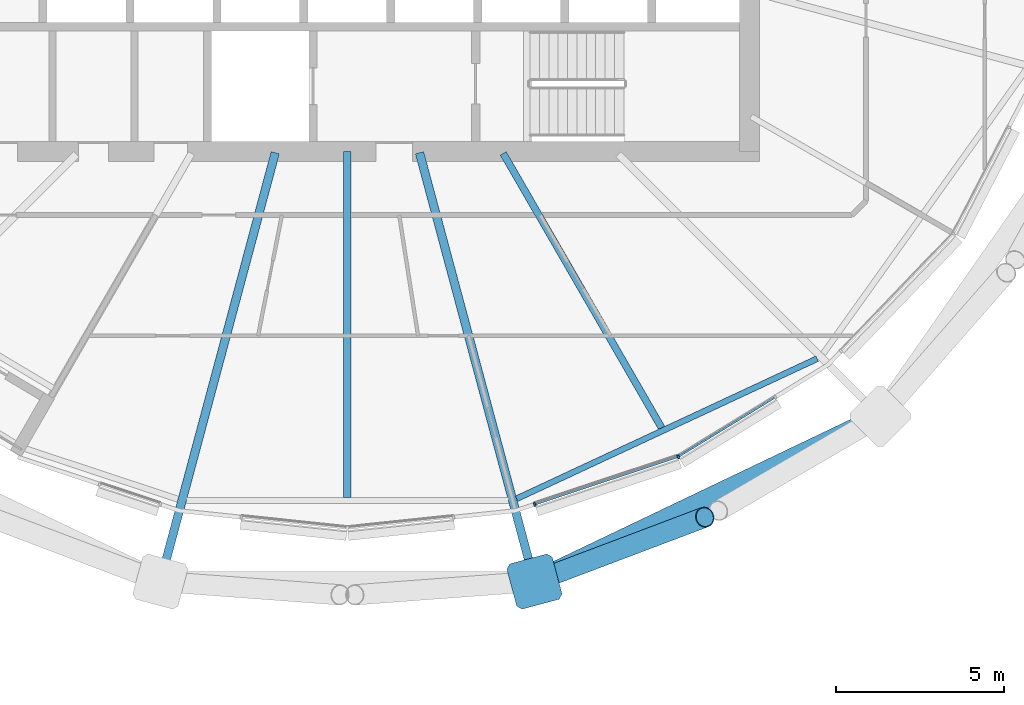
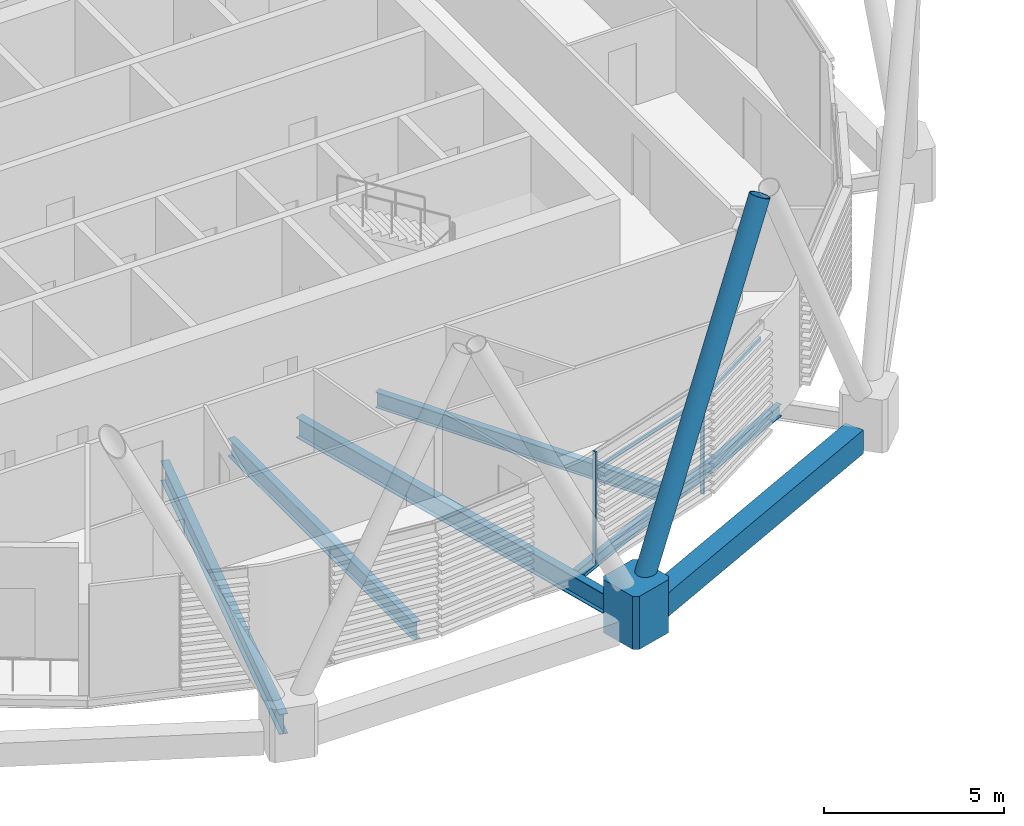
# One storey, part 4 of 36: 6 beams, 6 members, 1 element without a shape of its own.
"""IFC4 building model written with IfcOpenShell, lengths in metres."""

from ifc_helpers import new_model, si_unit, direction, frame, origin, origin_2d, place, context, subcontext, project, spatial, polyline, rectangle, hollow_rectangle, hollow_circle, i_section, outline, extrude, material, material_profile, profile_set, type_object, element, aggregate, save


model = new_model("IFC4")

# Units and contexts
model_context = context("Model", 3, precision=1e-05, world=origin(), true_north=direction((0.0, 1.0)))
body_context = subcontext(model_context, "Body", "Model", "MODEL_VIEW")
ifc_project = project(units=[si_unit("LENGTHUNIT", "METRE"), si_unit("AREAUNIT", "SQUARE_METRE"), si_unit("VOLUMEUNIT", "CUBIC_METRE"), si_unit("PLANEANGLEUNIT", "RADIAN"), si_unit("MASSUNIT", "GRAM", prefix="KILO")], contexts=[model_context])

# Site, building, storey
site_placement = place(None, origin())
site = spatial("IfcSite", under=ifc_project, at=site_placement, CompositionType="ELEMENT")
building_placement = place(site_placement, origin())
building = spatial("IfcBuilding", under=site, at=building_placement, Name="Rimbun Link Towers", CompositionType="ELEMENT")
storey_placement = place(building_placement, frame((0.0, 0.0, 193.10009765625)))
storey = spatial("IfcBuildingStorey", under=building, at=storey_placement, Name="L47", CompositionType="ELEMENT", Elevation=193.10009765625)

# Curtain wall, members
ifc_material_1 = material(Name="Aluminium 6063-T6 and low-iron glass", Category="aluminium")
curtain_wall_type = type_object("IfcCurtainWallType", Name="CW1-Z3 unitised vision wall (zone 3)", PredefinedType="NOTDEFINED", material=ifc_material_1)
curtain_wall_placement = place(storey_placement, origin())
curtain_wall = element("IfcCurtainWall", 1, at=curtain_wall_placement, inside=storey, type_object=curtain_wall_type, Name="CW1 L47 T1", PredefinedType="NOTDEFINED")
ifc_material_2 = material(Name="Aluminium 6063-T6", Category="aluminium")
ifc_material_profile_1 = material_profile(ifc_material_2, rectangle(XDim=0.1201171875, YDim=0.06005859375, at=origin_2d()), Name="MULLION 60X120")
ifc_profile_set_1 = profile_set([ifc_material_profile_1], Name="Aluminium 6063-T6")
member_type_1 = type_object("IfcMemberType", Name="CW1 mullion 60X120", PredefinedType="MULLION", material=ifc_profile_set_1)
member_1_placement = place(storey_placement, frame((-21.881103515625, -17.10400390625, 0.0), z_axis=(0.0, 0.0, 1.0), x_axis=(0.421694621362, -0.906737914899, 0.0)))
member_1 = element("IfcMember", 2, at=member_1_placement, type_object=member_type_1, Name="CW1 mullion", PredefinedType="MULLION", context=body_context, shape_type="SweptSolid", body=[
    extrude(rectangle(XDim=0.1201171875, YDim=0.06005859375, at=origin_2d()), origin(), (0.0, 0.0, 1.0), 3.7998046875),
])
member_2_placement = place(storey_placement, frame((-26.162841796875, -18.5234375, 0.0), z_axis=(0.0, 0.0, 1.0), x_axis=(0.314557993327, -0.949238257149, 0.0)))
member_2 = element("IfcMember", 3, at=member_2_placement, type_object=member_type_1, Name="CW1 mullion", PredefinedType="MULLION", context=body_context, shape_type="SweptSolid", body=[
    extrude(rectangle(XDim=0.1201171875, YDim=0.06005859375, at=origin_2d()), origin(), (0.0, 0.0, 1.0), 3.7998046875),
])
ifc_material_3 = material(Name="Aluminium 6063-T6", Category="aluminium")
ifc_material_profile_2 = material_profile(ifc_material_3, rectangle(XDim=0.06005859375, YDim=0.1201171875, at=origin_2d()), Name="TRANSOM 60X120")
ifc_profile_set_2 = profile_set([ifc_material_profile_2], Name="Aluminium 6063-T6")
member_type_2 = type_object("IfcMemberType", Name="CW1 transom 60X120", PredefinedType="USERDEFINED", material=ifc_profile_set_2)
member_3_placement = place(storey_placement, frame((-21.916748046875, -17.1142578125, 3.199951171875), z_axis=(-0.949247657744, -0.314529623833, 0.0), x_axis=(0.314529623833, -0.949247657744, 0.0)))
member_3 = element("IfcMember", 4, at=member_3_placement, type_object=member_type_2, Name="CW1 transom", ObjectType="TRANSOM", PredefinedType="USERDEFINED", context=body_context, shape_type="SweptSolid", body=[
    extrude(rectangle(XDim=0.06005859375, YDim=0.1201171875, at=origin_2d()), origin(), (0.0, 0.0, 1.0), 4.44384765625),
])
member_4_placement = place(storey_placement, frame((-19.013427734375, -15.341552734375, 3.199951171875), z_axis=(-0.852194171963, -0.523225661901, 0.0), x_axis=(0.523225661901, -0.852194171963, 0.0)))
member_4 = element("IfcMember", 5, at=member_4_placement, type_object=member_type_2, Name="CW1 transom", ObjectType="TRANSOM", PredefinedType="USERDEFINED", context=body_context, shape_type="SweptSolid", body=[
    extrude(rectangle(XDim=0.06005859375, YDim=0.1201171875, at=origin_2d()), origin(), (0.0, 0.0, 1.0), 3.329345703125),
])
aggregate(curtain_wall, [member_1, member_2, member_3, member_4])

# Members
ifc_material_4 = material(Name="Steel S355J2H", Category="steel")
ifc_material_profile_3 = material_profile(ifc_material_4, hollow_circle(Radius=0.3046875, WallThickness=0.02490234375, at=origin_2d()), Name="Diagrid diagonal CHS 610x25")
ifc_profile_set_3 = profile_set([ifc_material_profile_3], Name="Steel S355J2H")
member_type_3 = type_object("IfcMemberType", Name="Diagrid diagonal CHS 610x25", PredefinedType="BRACE", material=ifc_profile_set_3)
member_5_placement = place(storey_placement, frame((-25.961181640625, -20.75, 0.44775390625), z_axis=(0.415751650565, 0.157031197344, 0.895819048756), x_axis=(-0.353340436783, 0.935494807967, 0.0)))
element("IfcMember", 6, at=member_5_placement, inside=storey, type_object=member_type_3, Name="Diagrid diagonal T1 L47-L50 19b", PredefinedType="BRACE", context=body_context, shape_type="SweptSolid", body=[
    extrude(hollow_circle(Radius=0.3046875, WallThickness=0.02490234375, at=origin_2d()), origin(), (0.0, 0.0, 1.0), 11.725830078125),
])
ifc_material_5 = material(Name="Cast steel G20Mn5+QT, Rp0.2 300 MPa", Category="steel")
ifc_material_profile_4 = material_profile(ifc_material_5, outline(polyline([(0.699951171875, -0.570068359375), (0.699951171875, 0.570068359375), (0.570068359375, 0.699951171875), (-0.570068359375, 0.699951171875), (-0.699951171875, 0.570068359375), (-0.699951171875, -0.570068359375), (-0.570068359375, -0.699951171875), (0.570068359375, -0.699951171875), (0.699951171875, -0.570068359375)])), Name="NODE 1400x1400")
ifc_profile_set_4 = profile_set([ifc_material_profile_4], Name="Cast steel G20Mn5+QT, Rp0.2 300 MPa")
member_type_4 = type_object("IfcMemberType", Name="Diagrid node cast 1400", PredefinedType="USERDEFINED", material=ifc_profile_set_4)
member_6_placement = place(storey_placement, frame((-26.1689453125, -20.82861328125, -0.900146484375), z_axis=(0.0, 0.0, 1.0), x_axis=(0.258819045103, -0.965925826289, 0.0)))
element("IfcMember", 7, at=member_6_placement, inside=storey, type_object=member_type_4, Name="Diagrid node L47 19", ObjectType="Diagrid node", PredefinedType="USERDEFINED", context=body_context, shape_type="SweptSolid", body=[
    extrude(outline(polyline([(0.699951171875, -0.570068359375), (0.699951171875, 0.570068359375), (0.570068359375, 0.699951171875), (-0.570068359375, 0.699951171875), (-0.699951171875, 0.570068359375), (-0.699951171875, -0.570068359375), (-0.570068359375, -0.699951171875), (0.570068359375, -0.699951171875), (0.699951171875, -0.570068359375)])), origin(), (0.0, 0.0, 1.0), 1.800048828125),
])

# Beams
ifc_material_6 = material(Name="Steel S355J2", Category="steel")
ifc_material_profile_5 = material_profile(ifc_material_6, hollow_rectangle(XDim=0.60009765625, YDim=0.800048828125, WallThickness=0.0400390625, at=origin_2d()), Name="Exoskeleton ring girder BOX 600x800x40")
ifc_profile_set_5 = profile_set([ifc_material_profile_5], Name="Steel S355J2")
beam_type_1 = type_object("IfcBeamType", Name="Exoskeleton ring girder BOX 600x800x40", PredefinedType="BEAM", material=ifc_profile_set_5)
beam_1_placement = place(storey_placement, frame((-25.537353515625, -20.52685546875, -0.56005859375), z_axis=(0.902316117844, 0.431074962714, 0.0), x_axis=(-0.431074962714, 0.902316117844, 0.0)))
element("IfcBeam", 8, at=beam_1_placement, inside=storey, type_object=beam_type_1, Name="Exoskeleton ring girder L47 07", PredefinedType="BEAM", context=body_context, shape_type="SweptSolid", body=[
    extrude(hollow_rectangle(XDim=0.60009765625, YDim=0.800048828125, WallThickness=0.0400390625, at=origin_2d()), origin(), (0.0, 0.0, 1.0), 10.03515625),
])
ifc_material_7 = material(Name="Steel S355J2", Category="steel")
ifc_material_profile_6 = material_profile(ifc_material_7, i_section(OverallWidth=0.177978515625, OverallDepth=0.406494140625, WebThickness=0.0078125, FlangeThickness=0.0126953125, at=origin_2d()), Name="UB 406x178x60")
ifc_profile_set_6 = profile_set([ifc_material_profile_6], Name="Steel S355J2")
beam_type_2 = type_object("IfcBeamType", Name="UB 406x178x60", PredefinedType="BEAM", material=ifc_profile_set_6)
beam_2_placement = place(storey_placement, frame((-26.69921875, -18.35595703125, -0.353271484375), z_axis=(0.906418841359, 0.422380023238, 0.0), x_axis=(-0.422380023238, 0.906418841359, 0.0)))
element("IfcBeam", 9, at=beam_2_placement, inside=storey, type_object=beam_type_2, Name="Edge beam T1 L47 19-21", PredefinedType="BEAM", context=body_context, shape_type="SweptSolid", body=[
    extrude(i_section(OverallWidth=0.177978515625, OverallDepth=0.406494140625, WebThickness=0.0078125, FlangeThickness=0.0126953125, at=origin_2d()), origin(), (0.0, 0.0, 1.0), 9.890869140625),
])
ifc_material_8 = material(Name="Steel S355J2", Category="steel")
ifc_material_profile_7 = material_profile(ifc_material_8, i_section(OverallWidth=0.209228515625, OverallDepth=0.533203125, WebThickness=0.010009765625, FlangeThickness=0.015625, at=origin_2d()), Name="UB 533x210x92")
ifc_profile_set_7 = profile_set([ifc_material_profile_7], Name="Steel S355J2")
beam_type_3 = type_object("IfcBeamType", Name="UB 533x210x92", PredefinedType="BEAM", material=ifc_profile_set_7)
beam_3_placement = place(storey_placement, frame((-27.1005859375, -8.05322265625, -0.416748046875), z_axis=(0.500007824733, -0.866020886126, 0.0), x_axis=(0.866020886126, 0.500007824733, 0.0)))
element("IfcBeam", 10, at=beam_3_placement, inside=storey, type_object=beam_type_3, Name="Radial beam T1 L47 20", PredefinedType="BEAM", context=body_context, shape_type="SweptSolid", body=[
    extrude(i_section(OverallWidth=0.209228515625, OverallDepth=0.533203125, WebThickness=0.010009765625, FlangeThickness=0.015625, at=origin_2d()), origin(), (0.0, 0.0, 1.0), 9.454345703125),
])
ifc_material_9 = material(Name="Steel S355J2", Category="steel")
ifc_material_profile_8 = material_profile(ifc_material_9, i_section(OverallWidth=0.2275390625, OverallDepth=0.6025390625, WebThickness=0.010498046875, FlangeThickness=0.014892578125, at=origin_2d()), Name="UB 610x229x101")
ifc_profile_set_8 = profile_set([ifc_material_profile_8], Name="Steel S355J2")
beam_type_4 = type_object("IfcBeamType", Name="UB 610x229x101", PredefinedType="BEAM", material=ifc_profile_set_8)
beam_4_placement = place(storey_placement, frame((-31.75, -8.0009765625, -0.451416015625), z_axis=(0.0, -1.0, 0.0), x_axis=(1.0, 0.0, 0.0)))
element("IfcBeam", 11, at=beam_4_placement, inside=storey, type_object=beam_type_4, Name="Radial beam T1 L47 18", PredefinedType="BEAM", context=body_context, shape_type="SweptSolid", body=[
    extrude(i_section(OverallWidth=0.2275390625, OverallDepth=0.6025390625, WebThickness=0.010498046875, FlangeThickness=0.014892578125, at=origin_2d()), origin(), (0.0, 0.0, 1.0), 10.31982421875),
])
ifc_material_10 = material(Name="Steel S355J2", Category="steel")
ifc_material_profile_9 = material_profile(ifc_material_10, i_section(OverallWidth=0.253662109375, OverallDepth=0.68359375, WebThickness=0.012451171875, FlangeThickness=0.01904296875, at=origin_2d()), Name="UB 686x254x140")
ifc_profile_set_9 = profile_set([ifc_material_profile_9], Name="Steel S355J2")
beam_type_5 = type_object("IfcBeamType", Name="UB 686x254x140", PredefinedType="BEAM", material=ifc_profile_set_9)
for number, where, z_axis, x_axis, name in (
    (12, (-33.902587890625, -8.03369140625, -0.491943359375), (-0.258824803498, -0.965924283313, 0.0), (0.965924283313, -0.258824803498, 0.0), "Radial beam T1 L47 17"),
    (13, (-29.597412109375, -8.03369140625, -0.491943359375), (0.258824803498, -0.965924283313, 0.0), (0.965924283313, 0.258824803498, 0.0), "Radial beam T1 L47 19"),
):
    element("IfcBeam", number, at=place(storey_placement, frame(where, z_axis=z_axis, x_axis=x_axis)), inside=storey, type_object=beam_type_5, Name=name, PredefinedType="BEAM", context=body_context, shape_type="SweptSolid", body=[
        extrude(i_section(OverallWidth=0.253662109375, OverallDepth=0.68359375, WebThickness=0.012451171875, FlangeThickness=0.01904296875, at=origin_2d()), origin(), (0.0, 0.0, 1.0), 12.746337890625),
    ])

save(model, "model.ifc")
